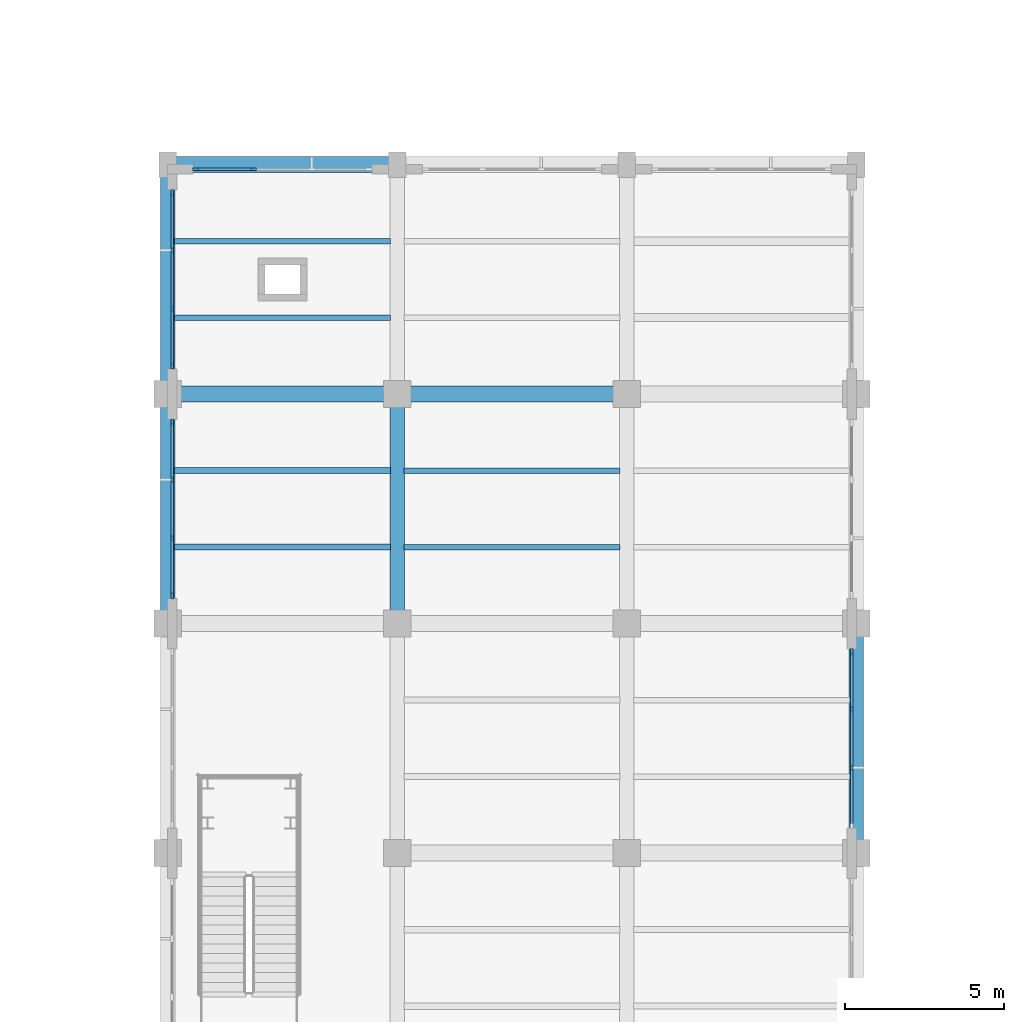
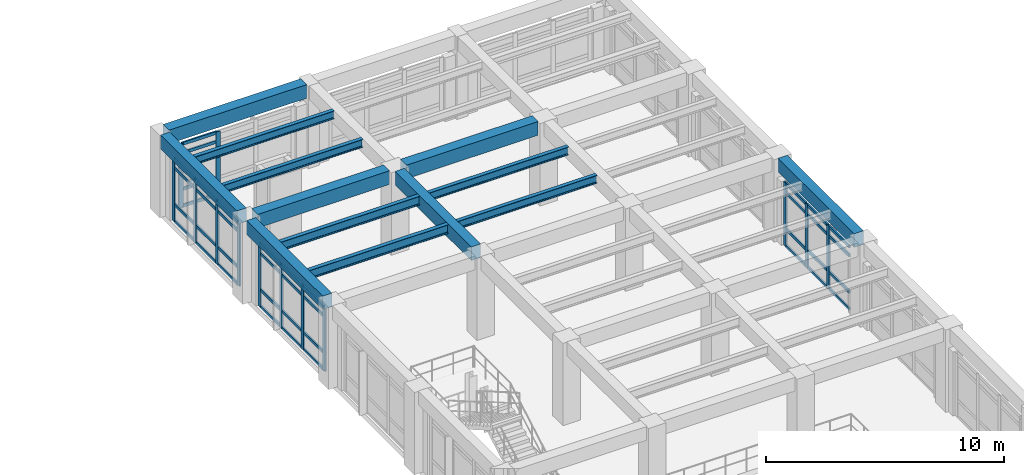
# One storey, part 48 of 98: 53 members, 13 beams, 4 elements without a shape of their own.
"""IFC4 building model written with IfcOpenShell, lengths in metres."""

from ifc_helpers import new_model, si_unit, direction, frame, origin, origin_2d, place, context, subcontext, project, spatial, rectangle, i_section, extrude, material, layer, layer_set, material_profile, profile_set, type_object, element, aggregate, save


model = new_model("IFC4")

# Units and contexts
model_context = context("Model", 3, precision=1e-05, world=origin(), true_north=direction((0.0, 1.0)))
body_context = subcontext(model_context, "Body", "Model", "MODEL_VIEW")
ifc_project = project(units=[si_unit("LENGTHUNIT", "METRE"), si_unit("AREAUNIT", "SQUARE_METRE"), si_unit("VOLUMEUNIT", "CUBIC_METRE"), si_unit("PLANEANGLEUNIT", "RADIAN"), si_unit("MASSUNIT", "GRAM", prefix="KILO")], contexts=[model_context])

# Site, building, storey
site_placement = place(None, origin())
site = spatial("IfcSite", under=ifc_project, at=site_placement, CompositionType="ELEMENT")
building_placement = place(site_placement, origin())
building = spatial("IfcBuilding", under=site, at=building_placement, Name="Solenvale Faculty of Natural Sciences", CompositionType="ELEMENT")
storey_placement = place(building_placement, frame((0.0, 0.0, 9.0)))
storey = spatial("IfcBuildingStorey", under=building, at=storey_placement, Name="L02", CompositionType="ELEMENT", Elevation=9.0)

# Beams
ifc_material_1 = material(Name="Concrete 40 MPa", Category="concrete")
ifc_material_profile_1 = material_profile(ifc_material_1, rectangle(XDim=0.449951171875, YDim=0.699951171875, at=origin_2d()), Name="RC-BM-450x700")
ifc_profile_set_1 = profile_set([ifc_material_profile_1], Name="Concrete 40 MPa")
beam_type_1 = type_object("IfcBeamType", Name="BM-RC-450x700", PredefinedType="BEAM", material=ifc_profile_set_1)
beam_1_placement = place(storey_placement, frame((36.0, 79.60498046875, 3.8701171875), z_axis=(0.0, 1.0, 0.0), x_axis=(-1.0, 0.0, 0.0)))
element("IfcBeam", 1, at=beam_1_placement, inside=storey, type_object=beam_type_1, Name="L02 Y-Girder X36.0 (79.2..86.4)", PredefinedType="BEAM", context=body_context, shape_type="SweptSolid", body=[
    extrude(rectangle(XDim=0.449951171875, YDim=0.699951171875, at=origin_2d()), origin(), (0.0, 0.0, 1.0), 6.39013671875),
])
beam_2_placement = place(storey_placement, frame((36.0, 86.804931640625, 3.8701171875), z_axis=(0.0, 1.0, 0.0), x_axis=(-1.0, 0.0, 0.0)))
element("IfcBeam", 2, at=beam_2_placement, inside=storey, type_object=beam_type_1, Name="L02 Y-Girder X36.0 (86.4..93.6)", PredefinedType="BEAM", context=body_context, shape_type="SweptSolid", body=[
    extrude(rectangle(XDim=0.449951171875, YDim=0.699951171875, at=origin_2d()), origin(), (0.0, 0.0, 1.0), 6.4150390625),
])
beam_3_placement = place(storey_placement, frame((43.199951171875, 79.60498046875, 3.8701171875), z_axis=(0.0, 1.0, 0.0), x_axis=(-1.0, 0.0, 0.0)))
element("IfcBeam", 3, at=beam_3_placement, inside=storey, type_object=beam_type_1, Name="L02 Y-Girder X43.2 (79.2..86.4)", PredefinedType="BEAM", context=body_context, shape_type="SweptSolid", body=[
    extrude(rectangle(XDim=0.449951171875, YDim=0.699951171875, at=origin_2d()), origin(), (0.0, 0.0, 1.0), 6.39013671875),
])
beam_4_placement = place(storey_placement, frame((57.60009765625, 72.405029296875, 3.8701171875), z_axis=(0.0, 1.0, 0.0), x_axis=(-1.0, 0.0, 0.0)))
element("IfcBeam", 4, at=beam_4_placement, inside=storey, type_object=beam_type_1, Name="L02 Y-Girder X57.6 (72.0..79.2)", PredefinedType="BEAM", context=body_context, shape_type="SweptSolid", body=[
    extrude(rectangle(XDim=0.449951171875, YDim=0.699951171875, at=origin_2d()), origin(), (0.0, 0.0, 1.0), 6.389892578125),
])
ifc_material_profile_2 = material_profile(ifc_material_1, rectangle(XDim=0.5, YDim=0.699951171875, at=origin_2d()), Name="RC-BM-500x700")
ifc_profile_set_2 = profile_set([ifc_material_profile_2], Name="Concrete 40 MPa")
beam_type_2 = type_object("IfcBeamType", Name="BM-RC-500x700", PredefinedType="BEAM", material=ifc_profile_set_2)
beam_5_placement = place(storey_placement, frame((36.405029296875, 86.39990234375, 3.8701171875), z_axis=(1.0, 0.0, 0.0), x_axis=(0.0, 1.0, 0.0)))
element("IfcBeam", 5, at=beam_5_placement, inside=storey, type_object=beam_type_2, Name="L02 X-Girder Y86.4 (36.0..43.2)", PredefinedType="BEAM", context=body_context, shape_type="SweptSolid", body=[
    extrude(rectangle(XDim=0.5, YDim=0.699951171875, at=origin_2d()), origin(), (0.0, 0.0, 1.0), 6.389892578125),
])
beam_6_placement = place(storey_placement, frame((43.60498046875, 86.39990234375, 3.8701171875), z_axis=(1.0, 0.0, 0.0), x_axis=(0.0, 1.0, 0.0)))
element("IfcBeam", 6, at=beam_6_placement, inside=storey, type_object=beam_type_2, Name="L02 X-Girder Y86.4 (43.2..50.4)", PredefinedType="BEAM", context=body_context, shape_type="SweptSolid", body=[
    extrude(rectangle(XDim=0.5, YDim=0.699951171875, at=origin_2d()), origin(), (0.0, 0.0, 1.0), 6.39013671875),
])
beam_7_placement = place(storey_placement, frame((36.2548828125, 93.60009765625, 3.8701171875), z_axis=(1.0, 0.0, 0.0), x_axis=(0.0, 1.0, 0.0)))
element("IfcBeam", 7, at=beam_7_placement, inside=storey, type_object=beam_type_2, Name="L02 X-Girder Y93.6 (36.0..43.2)", PredefinedType="BEAM", context=body_context, shape_type="SweptSolid", body=[
    extrude(rectangle(XDim=0.5, YDim=0.699951171875, at=origin_2d()), origin(), (0.0, 0.0, 1.0), 6.690185546875),
])
ifc_material_2 = material(Name="Steel S355", Category="steel")
ifc_material_profile_3 = material_profile(ifc_material_2, i_section(OverallWidth=0.180908203125, OverallDepth=0.4169921875, WebThickness=0.010986328125, FlangeThickness=0.018310546875, FilletRadius=0.01611328125, at=origin_2d()), Name="W410x85")
ifc_profile_set_3 = profile_set([ifc_material_profile_3], Name="Steel S355")
beam_type_3 = type_object("IfcBeamType", Name="BM-STL-W410x85", PredefinedType="JOIST", material=ifc_profile_set_3)
for number, where, z_axis, x_axis, name in (
    (8, (36.205078125, 88.800048828125, 4.011474609375), (1.0, 0.0, 0.0), (0.0, 1.0, 0.0), "L02 Composite Floor Joist (6,13).1"),
    (9, (36.205078125, 91.199951171875, 4.011474609375), (1.0, 0.0, 0.0), (0.0, 1.0, 0.0), "L02 Composite Floor Joist (6,13).2"),
    (10, (43.405029296875, 81.60009765625, 4.011474609375), (1.0, 0.0, 0.0), (0.0, 1.0, 0.0), "L02 Composite Floor Joist (7,12).1"),
    (11, (43.405029296875, 84.0, 4.011474609375), (1.0, 0.0, 0.0), (0.0, 1.0, 0.0), "L02 Composite Floor Joist (7,12).2"),
):
    element("IfcBeam", number, at=place(storey_placement, frame(where, z_axis=z_axis, x_axis=x_axis)), inside=storey, type_object=beam_type_3, Name=name, PredefinedType="JOIST", context=body_context, shape_type="SweptSolid", body=[
        extrude(i_section(OverallWidth=0.180908203125, OverallDepth=0.4169921875, WebThickness=0.010986328125, FlangeThickness=0.018310546875, FilletRadius=0.01611328125, at=origin_2d()), origin(), (0.0, 0.0, 1.0), 6.7900390625),
    ])
ifc_material_profile_4 = material_profile(ifc_material_2, i_section(OverallWidth=0.19091796875, OverallDepth=0.4599609375, WebThickness=0.010009765625, FlangeThickness=0.01611328125, FilletRadius=0.01806640625, at=origin_2d()), Name="W460x82")
ifc_profile_set_4 = profile_set([ifc_material_profile_4], Name="Steel S355")
beam_type_4 = type_object("IfcBeamType", Name="BM-STL-W460x82", PredefinedType="JOIST", material=ifc_profile_set_4)
for number, where, z_axis, x_axis, name in (
    (12, (36.205078125, 81.60009765625, 3.989990234375), (1.0, 0.0, 0.0), (0.0, 1.0, 0.0), "L02 Composite Floor Joist (6,12).1"),
    (13, (36.205078125, 84.0, 3.989990234375), (1.0, 0.0, 0.0), (0.0, 1.0, 0.0), "L02 Composite Floor Joist (6,12).2"),
):
    element("IfcBeam", number, at=place(storey_placement, frame(where, z_axis=z_axis, x_axis=x_axis)), inside=storey, type_object=beam_type_4, Name=name, PredefinedType="JOIST", context=body_context, shape_type="SweptSolid", body=[
        extrude(i_section(OverallWidth=0.19091796875, OverallDepth=0.4599609375, WebThickness=0.010009765625, FlangeThickness=0.01611328125, FilletRadius=0.01806640625, at=origin_2d()), origin(), (0.0, 0.0, 1.0), 6.7900390625),
    ])

# Curtain wall, members
ifc_material_3 = material(Name="Anodised bronze aluminium", Category="aluminium")
ifc_layer = layer(ifc_material_3, 0.215087890625)
ifc_layer_set = layer_set([ifc_layer], Name="Anodised bronze aluminium")
curtain_wall_type = type_object("IfcCurtainWallType", Name="CW-ATR-UNIT", PredefinedType="USERDEFINED", material=ifc_layer_set)
curtain_wall_1_placement = place(storey_placement, origin())
curtain_wall_1 = element("IfcCurtainWall", 14, at=curtain_wall_1_placement, inside=storey, type_object=curtain_wall_type, Name="L02 Curtain Wall CW-L02-P1-E7-B5", ObjectType="UNITISED CURTAIN WALL", PredefinedType="USERDEFINED")
ifc_material_profile_5 = material_profile(ifc_material_3, rectangle(XDim=0.074951171875, YDim=0.2099609375, at=origin_2d()), Name="ALU-MUL-75x210")
ifc_profile_set_5 = profile_set([ifc_material_profile_5], Name="Anodised bronze aluminium")
member_type_1 = type_object("IfcMemberType", Name="CWM-ALU-75x210", PredefinedType="MULLION", material=ifc_profile_set_5)
member_1_placement = place(storey_placement, frame((57.45751953125, 74.683349609375, 0.0), z_axis=(0.0, 0.0, 1.0), x_axis=(-1.0, 0.0, 0.0)))
member_1 = element("IfcMember", 15, at=member_1_placement, type_object=member_type_1, Name="CW-01 mullion 2", PredefinedType="MULLION", context=body_context, shape_type="SweptSolid", body=[
    extrude(rectangle(XDim=0.074951171875, YDim=0.2099609375, at=origin_2d()), origin(), (0.0, 0.0, 1.0), 3.260009765625),
])
member_2_placement = place(storey_placement, frame((57.45751953125, 76.5166015625, 0.0), z_axis=(0.0, 0.0, 1.0), x_axis=(-1.0, 0.0, 0.0)))
member_2 = element("IfcMember", 16, at=member_2_placement, type_object=member_type_1, Name="CW-01 mullion 3", PredefinedType="MULLION", context=body_context, shape_type="SweptSolid", body=[
    extrude(rectangle(XDim=0.074951171875, YDim=0.2099609375, at=origin_2d()), origin(), (0.0, 0.0, 1.0), 3.260009765625),
])
member_3_placement = place(storey_placement, frame((57.45751953125, 78.3125, 0.0), z_axis=(0.0, 0.0, 1.0), x_axis=(-1.0, 0.0, 0.0)))
member_3 = element("IfcMember", 17, at=member_3_placement, type_object=member_type_1, Name="CW-01 mullion 4", PredefinedType="MULLION", context=body_context, shape_type="SweptSolid", body=[
    extrude(rectangle(XDim=0.074951171875, YDim=0.2099609375, at=origin_2d()), origin(), (0.0, 0.0, 1.0), 3.260009765625),
])

curtain_wall_2_placement = place(storey_placement, origin())
curtain_wall_2 = element("IfcCurtainWall", 18, at=curtain_wall_2_placement, inside=storey, type_object=curtain_wall_type, Name="L02 Curtain Wall CW-L02-P1-E8-B3", ObjectType="UNITISED CURTAIN WALL", PredefinedType="USERDEFINED")
member_4_placement = place(storey_placement, frame((38.683349609375, 93.45751953125, 0.0), z_axis=(0.0, 0.0, 1.0), x_axis=(0.0, -1.0, 0.0)))
member_4 = element("IfcMember", 19, at=member_4_placement, type_object=member_type_1, Name="CW-01 mullion 3", PredefinedType="MULLION", context=body_context, shape_type="SweptSolid", body=[
    extrude(rectangle(XDim=0.074951171875, YDim=0.2099609375, at=origin_2d()), origin(), (0.0, 0.0, 1.0), 3.260009765625),
])
member_5_placement = place(storey_placement, frame((36.887451171875, 93.45751953125, 0.0), z_axis=(0.0, 0.0, 1.0), x_axis=(0.0, -1.0, 0.0)))
member_5 = element("IfcMember", 20, at=member_5_placement, type_object=member_type_1, Name="CW-01 mullion 4", PredefinedType="MULLION", context=body_context, shape_type="SweptSolid", body=[
    extrude(rectangle(XDim=0.074951171875, YDim=0.2099609375, at=origin_2d()), origin(), (0.0, 0.0, 1.0), 3.260009765625),
])

curtain_wall_3_placement = place(storey_placement, origin())
curtain_wall_3 = element("IfcCurtainWall", 21, at=curtain_wall_3_placement, inside=storey, type_object=curtain_wall_type, Name="L02 Curtain Wall CW-L02-P1-E9-B1", ObjectType="UNITISED CURTAIN WALL", PredefinedType="USERDEFINED")
member_6_placement = place(storey_placement, frame((36.142578125, 92.71240234375, 0.0), z_axis=(0.0, 0.0, 1.0), x_axis=(1.0, 0.0, 0.0)))
member_6 = element("IfcMember", 22, at=member_6_placement, type_object=member_type_1, Name="CW-01 mullion 1", PredefinedType="MULLION", context=body_context, shape_type="SweptSolid", body=[
    extrude(rectangle(XDim=0.074951171875, YDim=0.2099609375, at=origin_2d()), origin(), (0.0, 0.0, 1.0), 3.260009765625),
])
member_7_placement = place(storey_placement, frame((36.142578125, 90.916748046875, 0.0), z_axis=(0.0, 0.0, 1.0), x_axis=(1.0, 0.0, 0.0)))
member_7 = element("IfcMember", 23, at=member_7_placement, type_object=member_type_1, Name="CW-01 mullion 2", PredefinedType="MULLION", context=body_context, shape_type="SweptSolid", body=[
    extrude(rectangle(XDim=0.074951171875, YDim=0.2099609375, at=origin_2d()), origin(), (0.0, 0.0, 1.0), 3.260009765625),
])
member_8_placement = place(storey_placement, frame((36.142578125, 89.083251953125, 0.0), z_axis=(0.0, 0.0, 1.0), x_axis=(1.0, 0.0, 0.0)))
member_8 = element("IfcMember", 24, at=member_8_placement, type_object=member_type_1, Name="CW-01 mullion 3", PredefinedType="MULLION", context=body_context, shape_type="SweptSolid", body=[
    extrude(rectangle(XDim=0.074951171875, YDim=0.2099609375, at=origin_2d()), origin(), (0.0, 0.0, 1.0), 3.260009765625),
])
member_9_placement = place(storey_placement, frame((36.142578125, 87.28759765625, 0.0), z_axis=(0.0, 0.0, 1.0), x_axis=(1.0, 0.0, 0.0)))
member_9 = element("IfcMember", 25, at=member_9_placement, type_object=member_type_1, Name="CW-01 mullion 4", PredefinedType="MULLION", context=body_context, shape_type="SweptSolid", body=[
    extrude(rectangle(XDim=0.074951171875, YDim=0.2099609375, at=origin_2d()), origin(), (0.0, 0.0, 1.0), 3.260009765625),
])

curtain_wall_4_placement = place(storey_placement, origin())
curtain_wall_4 = element("IfcCurtainWall", 26, at=curtain_wall_4_placement, inside=storey, type_object=curtain_wall_type, Name="L02 Curtain Wall CW-L02-P1-E9-B2", ObjectType="UNITISED CURTAIN WALL", PredefinedType="USERDEFINED")
member_10_placement = place(storey_placement, frame((36.142578125, 85.512451171875, 0.0), z_axis=(0.0, 0.0, 1.0), x_axis=(1.0, 0.0, 0.0)))
member_10 = element("IfcMember", 27, at=member_10_placement, type_object=member_type_1, Name="CW-01 mullion 1", PredefinedType="MULLION", context=body_context, shape_type="SweptSolid", body=[
    extrude(rectangle(XDim=0.074951171875, YDim=0.2099609375, at=origin_2d()), origin(), (0.0, 0.0, 1.0), 3.260009765625),
])
member_11_placement = place(storey_placement, frame((36.142578125, 83.716552734375, 0.0), z_axis=(0.0, 0.0, 1.0), x_axis=(1.0, 0.0, 0.0)))
member_11 = element("IfcMember", 28, at=member_11_placement, type_object=member_type_1, Name="CW-01 mullion 2", PredefinedType="MULLION", context=body_context, shape_type="SweptSolid", body=[
    extrude(rectangle(XDim=0.074951171875, YDim=0.2099609375, at=origin_2d()), origin(), (0.0, 0.0, 1.0), 3.260009765625),
])
member_12_placement = place(storey_placement, frame((36.142578125, 81.88330078125, 0.0), z_axis=(0.0, 0.0, 1.0), x_axis=(1.0, 0.0, 0.0)))
member_12 = element("IfcMember", 29, at=member_12_placement, type_object=member_type_1, Name="CW-01 mullion 3", PredefinedType="MULLION", context=body_context, shape_type="SweptSolid", body=[
    extrude(rectangle(XDim=0.074951171875, YDim=0.2099609375, at=origin_2d()), origin(), (0.0, 0.0, 1.0), 3.260009765625),
])
member_13_placement = place(storey_placement, frame((36.142578125, 80.08740234375, 0.0), z_axis=(0.0, 0.0, 1.0), x_axis=(1.0, 0.0, 0.0)))
member_13 = element("IfcMember", 30, at=member_13_placement, type_object=member_type_1, Name="CW-01 mullion 4", PredefinedType="MULLION", context=body_context, shape_type="SweptSolid", body=[
    extrude(rectangle(XDim=0.074951171875, YDim=0.2099609375, at=origin_2d()), origin(), (0.0, 0.0, 1.0), 3.260009765625),
])

# Member
ifc_material_profile_6 = material_profile(ifc_material_3, rectangle(XDim=0.074951171875, YDim=0.155029296875, at=origin_2d()), Name="ALU-TRN-75x155")
ifc_profile_set_6 = profile_set([ifc_material_profile_6], Name="Anodised bronze aluminium")
member_type_2 = type_object("IfcMemberType", Name="CWT-ALU-75x155", PredefinedType="USERDEFINED", material=ifc_profile_set_6)
member_14_placement = place(storey_placement, frame((57.45751953125, 72.925048828125, 0.03759765625), z_axis=(0.0, 1.0, 0.0), x_axis=(-1.0, 0.0, 0.0)))
member_14 = element("IfcMember", 31, at=member_14_placement, type_object=member_type_2, Name="CW-01 transom 1.1", ObjectType="TRANSOM", PredefinedType="USERDEFINED", context=body_context, shape_type="SweptSolid", body=[
    extrude(rectangle(XDim=0.074951171875, YDim=0.155029296875, at=origin_2d()), origin(), (0.0, 0.0, 1.0), 1.720703125),
])

member_15_placement = place(storey_placement, frame((57.45751953125, 72.925048828125, 0.89990234375), z_axis=(0.0, 1.0, 0.0), x_axis=(-1.0, 0.0, 0.0)))
member_15 = element("IfcMember", 32, at=member_15_placement, type_object=member_type_2, Name="CW-01 transom 1.2", ObjectType="TRANSOM", PredefinedType="USERDEFINED", context=body_context, shape_type="SweptSolid", body=[
    extrude(rectangle(XDim=0.074951171875, YDim=0.155029296875, at=origin_2d()), origin(), (0.0, 0.0, 1.0), 1.720703125),
])

member_16_placement = place(storey_placement, frame((57.45751953125, 72.925048828125, 2.760009765625), z_axis=(0.0, 1.0, 0.0), x_axis=(-1.0, 0.0, 0.0)))
member_16 = element("IfcMember", 33, at=member_16_placement, type_object=member_type_2, Name="CW-01 transom 1.3", ObjectType="TRANSOM", PredefinedType="USERDEFINED", context=body_context, shape_type="SweptSolid", body=[
    extrude(rectangle(XDim=0.074951171875, YDim=0.155029296875, at=origin_2d()), origin(), (0.0, 0.0, 1.0), 1.720703125),
])

member_17_placement = place(storey_placement, frame((57.45751953125, 72.925048828125, 3.222412109375), z_axis=(0.0, 1.0, 0.0), x_axis=(-1.0, 0.0, 0.0)))
member_17 = element("IfcMember", 34, at=member_17_placement, type_object=member_type_2, Name="CW-01 transom 1.4", ObjectType="TRANSOM", PredefinedType="USERDEFINED", context=body_context, shape_type="SweptSolid", body=[
    extrude(rectangle(XDim=0.074951171875, YDim=0.155029296875, at=origin_2d()), origin(), (0.0, 0.0, 1.0), 1.720703125),
])

member_18_placement = place(storey_placement, frame((57.45751953125, 74.720947265625, 0.03759765625), z_axis=(0.0, 1.0, 0.0), x_axis=(-1.0, 0.0, 0.0)))
member_18 = element("IfcMember", 35, at=member_18_placement, type_object=member_type_2, Name="CW-01 transom 2.1", ObjectType="TRANSOM", PredefinedType="USERDEFINED", context=body_context, shape_type="SweptSolid", body=[
    extrude(rectangle(XDim=0.074951171875, YDim=0.155029296875, at=origin_2d()), origin(), (0.0, 0.0, 1.0), 1.75830078125),
])

member_19_placement = place(storey_placement, frame((57.45751953125, 74.720947265625, 0.89990234375), z_axis=(0.0, 1.0, 0.0), x_axis=(-1.0, 0.0, 0.0)))
member_19 = element("IfcMember", 36, at=member_19_placement, type_object=member_type_2, Name="CW-01 transom 2.2", ObjectType="TRANSOM", PredefinedType="USERDEFINED", context=body_context, shape_type="SweptSolid", body=[
    extrude(rectangle(XDim=0.074951171875, YDim=0.155029296875, at=origin_2d()), origin(), (0.0, 0.0, 1.0), 1.75830078125),
])

member_20_placement = place(storey_placement, frame((57.45751953125, 74.720947265625, 2.760009765625), z_axis=(0.0, 1.0, 0.0), x_axis=(-1.0, 0.0, 0.0)))
member_20 = element("IfcMember", 37, at=member_20_placement, type_object=member_type_2, Name="CW-01 transom 2.3", ObjectType="TRANSOM", PredefinedType="USERDEFINED", context=body_context, shape_type="SweptSolid", body=[
    extrude(rectangle(XDim=0.074951171875, YDim=0.155029296875, at=origin_2d()), origin(), (0.0, 0.0, 1.0), 1.75830078125),
])

member_21_placement = place(storey_placement, frame((57.45751953125, 74.720947265625, 3.222412109375), z_axis=(0.0, 1.0, 0.0), x_axis=(-1.0, 0.0, 0.0)))
member_21 = element("IfcMember", 38, at=member_21_placement, type_object=member_type_2, Name="CW-01 transom 2.4", ObjectType="TRANSOM", PredefinedType="USERDEFINED", context=body_context, shape_type="SweptSolid", body=[
    extrude(rectangle(XDim=0.074951171875, YDim=0.155029296875, at=origin_2d()), origin(), (0.0, 0.0, 1.0), 1.75830078125),
])

member_22_placement = place(storey_placement, frame((57.45751953125, 76.55419921875, 0.03759765625), z_axis=(0.0, 1.0, 0.0), x_axis=(-1.0, 0.0, 0.0)))
member_22 = element("IfcMember", 39, at=member_22_placement, type_object=member_type_2, Name="CW-01 transom 3.1", ObjectType="TRANSOM", PredefinedType="USERDEFINED", context=body_context, shape_type="SweptSolid", body=[
    extrude(rectangle(XDim=0.074951171875, YDim=0.155029296875, at=origin_2d()), origin(), (0.0, 0.0, 1.0), 1.720703125),
])

member_23_placement = place(storey_placement, frame((57.45751953125, 76.55419921875, 0.89990234375), z_axis=(0.0, 1.0, 0.0), x_axis=(-1.0, 0.0, 0.0)))
member_23 = element("IfcMember", 40, at=member_23_placement, type_object=member_type_2, Name="CW-01 transom 3.2", ObjectType="TRANSOM", PredefinedType="USERDEFINED", context=body_context, shape_type="SweptSolid", body=[
    extrude(rectangle(XDim=0.074951171875, YDim=0.155029296875, at=origin_2d()), origin(), (0.0, 0.0, 1.0), 1.720703125),
])

member_24_placement = place(storey_placement, frame((57.45751953125, 76.55419921875, 2.760009765625), z_axis=(0.0, 1.0, 0.0), x_axis=(-1.0, 0.0, 0.0)))
member_24 = element("IfcMember", 41, at=member_24_placement, type_object=member_type_2, Name="CW-01 transom 3.3", ObjectType="TRANSOM", PredefinedType="USERDEFINED", context=body_context, shape_type="SweptSolid", body=[
    extrude(rectangle(XDim=0.074951171875, YDim=0.155029296875, at=origin_2d()), origin(), (0.0, 0.0, 1.0), 1.720703125),
])

member_25_placement = place(storey_placement, frame((57.45751953125, 76.55419921875, 3.222412109375), z_axis=(0.0, 1.0, 0.0), x_axis=(-1.0, 0.0, 0.0)))
member_25 = element("IfcMember", 42, at=member_25_placement, type_object=member_type_2, Name="CW-01 transom 3.4", ObjectType="TRANSOM", PredefinedType="USERDEFINED", context=body_context, shape_type="SweptSolid", body=[
    extrude(rectangle(XDim=0.074951171875, YDim=0.155029296875, at=origin_2d()), origin(), (0.0, 0.0, 1.0), 1.720703125),
])

aggregate(curtain_wall_1, [member_1, member_2, member_3, member_14, member_15, member_16, member_17, member_18, member_19, member_20, member_21, member_22, member_23, member_24, member_25])

member_26_placement = place(storey_placement, frame((38.645751953125, 93.45751953125, 0.03759765625), z_axis=(-1.0, 0.0, 0.0), x_axis=(0.0, -1.0, 0.0)))
member_26 = element("IfcMember", 43, at=member_26_placement, type_object=member_type_2, Name="CW-01 transom 3.1", ObjectType="TRANSOM", PredefinedType="USERDEFINED", context=body_context, shape_type="SweptSolid", body=[
    extrude(rectangle(XDim=0.074951171875, YDim=0.155029296875, at=origin_2d()), origin(), (0.0, 0.0, 1.0), 1.720703125),
])

member_27_placement = place(storey_placement, frame((38.645751953125, 93.45751953125, 0.89990234375), z_axis=(-1.0, 0.0, 0.0), x_axis=(0.0, -1.0, 0.0)))
member_27 = element("IfcMember", 44, at=member_27_placement, type_object=member_type_2, Name="CW-01 transom 3.2", ObjectType="TRANSOM", PredefinedType="USERDEFINED", context=body_context, shape_type="SweptSolid", body=[
    extrude(rectangle(XDim=0.074951171875, YDim=0.155029296875, at=origin_2d()), origin(), (0.0, 0.0, 1.0), 1.720703125),
])

member_28_placement = place(storey_placement, frame((38.645751953125, 93.45751953125, 2.760009765625), z_axis=(-1.0, 0.0, 0.0), x_axis=(0.0, -1.0, 0.0)))
member_28 = element("IfcMember", 45, at=member_28_placement, type_object=member_type_2, Name="CW-01 transom 3.3", ObjectType="TRANSOM", PredefinedType="USERDEFINED", context=body_context, shape_type="SweptSolid", body=[
    extrude(rectangle(XDim=0.074951171875, YDim=0.155029296875, at=origin_2d()), origin(), (0.0, 0.0, 1.0), 1.720703125),
])

member_29_placement = place(storey_placement, frame((38.645751953125, 93.45751953125, 3.222412109375), z_axis=(-1.0, 0.0, 0.0), x_axis=(0.0, -1.0, 0.0)))
member_29 = element("IfcMember", 46, at=member_29_placement, type_object=member_type_2, Name="CW-01 transom 3.4", ObjectType="TRANSOM", PredefinedType="USERDEFINED", context=body_context, shape_type="SweptSolid", body=[
    extrude(rectangle(XDim=0.074951171875, YDim=0.155029296875, at=origin_2d()), origin(), (0.0, 0.0, 1.0), 1.720703125),
])

aggregate(curtain_wall_2, [member_4, member_5, member_26, member_27, member_28, member_29])

member_30_placement = place(storey_placement, frame((36.142578125, 92.675048828125, 0.03759765625), z_axis=(0.0, -1.0, 0.0), x_axis=(1.0, 0.0, 0.0)))
member_30 = element("IfcMember", 47, at=member_30_placement, type_object=member_type_2, Name="CW-01 transom 1.1", ObjectType="TRANSOM", PredefinedType="USERDEFINED", context=body_context, shape_type="SweptSolid", body=[
    extrude(rectangle(XDim=0.074951171875, YDim=0.155029296875, at=origin_2d()), origin(), (0.0, 0.0, 1.0), 1.720947265625),
])

member_31_placement = place(storey_placement, frame((36.142578125, 92.675048828125, 0.89990234375), z_axis=(0.0, -1.0, 0.0), x_axis=(1.0, 0.0, 0.0)))
member_31 = element("IfcMember", 48, at=member_31_placement, type_object=member_type_2, Name="CW-01 transom 1.2", ObjectType="TRANSOM", PredefinedType="USERDEFINED", context=body_context, shape_type="SweptSolid", body=[
    extrude(rectangle(XDim=0.074951171875, YDim=0.155029296875, at=origin_2d()), origin(), (0.0, 0.0, 1.0), 1.720947265625),
])

member_32_placement = place(storey_placement, frame((36.142578125, 92.675048828125, 2.760009765625), z_axis=(0.0, -1.0, 0.0), x_axis=(1.0, 0.0, 0.0)))
member_32 = element("IfcMember", 49, at=member_32_placement, type_object=member_type_2, Name="CW-01 transom 1.3", ObjectType="TRANSOM", PredefinedType="USERDEFINED", context=body_context, shape_type="SweptSolid", body=[
    extrude(rectangle(XDim=0.074951171875, YDim=0.155029296875, at=origin_2d()), origin(), (0.0, 0.0, 1.0), 1.720947265625),
])

member_33_placement = place(storey_placement, frame((36.142578125, 92.675048828125, 3.222412109375), z_axis=(0.0, -1.0, 0.0), x_axis=(1.0, 0.0, 0.0)))
member_33 = element("IfcMember", 50, at=member_33_placement, type_object=member_type_2, Name="CW-01 transom 1.4", ObjectType="TRANSOM", PredefinedType="USERDEFINED", context=body_context, shape_type="SweptSolid", body=[
    extrude(rectangle(XDim=0.074951171875, YDim=0.155029296875, at=origin_2d()), origin(), (0.0, 0.0, 1.0), 1.720947265625),
])

member_34_placement = place(storey_placement, frame((36.142578125, 90.879150390625, 0.03759765625), z_axis=(0.0, -1.0, 0.0), x_axis=(1.0, 0.0, 0.0)))
member_34 = element("IfcMember", 51, at=member_34_placement, type_object=member_type_2, Name="CW-01 transom 2.1", ObjectType="TRANSOM", PredefinedType="USERDEFINED", context=body_context, shape_type="SweptSolid", body=[
    extrude(rectangle(XDim=0.074951171875, YDim=0.155029296875, at=origin_2d()), origin(), (0.0, 0.0, 1.0), 1.75830078125),
])

member_35_placement = place(storey_placement, frame((36.142578125, 90.879150390625, 0.89990234375), z_axis=(0.0, -1.0, 0.0), x_axis=(1.0, 0.0, 0.0)))
member_35 = element("IfcMember", 52, at=member_35_placement, type_object=member_type_2, Name="CW-01 transom 2.2", ObjectType="TRANSOM", PredefinedType="USERDEFINED", context=body_context, shape_type="SweptSolid", body=[
    extrude(rectangle(XDim=0.074951171875, YDim=0.155029296875, at=origin_2d()), origin(), (0.0, 0.0, 1.0), 1.75830078125),
])

member_36_placement = place(storey_placement, frame((36.142578125, 90.879150390625, 2.760009765625), z_axis=(0.0, -1.0, 0.0), x_axis=(1.0, 0.0, 0.0)))
member_36 = element("IfcMember", 53, at=member_36_placement, type_object=member_type_2, Name="CW-01 transom 2.3", ObjectType="TRANSOM", PredefinedType="USERDEFINED", context=body_context, shape_type="SweptSolid", body=[
    extrude(rectangle(XDim=0.074951171875, YDim=0.155029296875, at=origin_2d()), origin(), (0.0, 0.0, 1.0), 1.75830078125),
])

member_37_placement = place(storey_placement, frame((36.142578125, 90.879150390625, 3.222412109375), z_axis=(0.0, -1.0, 0.0), x_axis=(1.0, 0.0, 0.0)))
member_37 = element("IfcMember", 54, at=member_37_placement, type_object=member_type_2, Name="CW-01 transom 2.4", ObjectType="TRANSOM", PredefinedType="USERDEFINED", context=body_context, shape_type="SweptSolid", body=[
    extrude(rectangle(XDim=0.074951171875, YDim=0.155029296875, at=origin_2d()), origin(), (0.0, 0.0, 1.0), 1.75830078125),
])

member_38_placement = place(storey_placement, frame((36.142578125, 89.0458984375, 0.03759765625), z_axis=(0.0, -1.0, 0.0), x_axis=(1.0, 0.0, 0.0)))
member_38 = element("IfcMember", 55, at=member_38_placement, type_object=member_type_2, Name="CW-01 transom 3.1", ObjectType="TRANSOM", PredefinedType="USERDEFINED", context=body_context, shape_type="SweptSolid", body=[
    extrude(rectangle(XDim=0.074951171875, YDim=0.155029296875, at=origin_2d()), origin(), (0.0, 0.0, 1.0), 1.720947265625),
])

member_39_placement = place(storey_placement, frame((36.142578125, 89.0458984375, 0.89990234375), z_axis=(0.0, -1.0, 0.0), x_axis=(1.0, 0.0, 0.0)))
member_39 = element("IfcMember", 56, at=member_39_placement, type_object=member_type_2, Name="CW-01 transom 3.2", ObjectType="TRANSOM", PredefinedType="USERDEFINED", context=body_context, shape_type="SweptSolid", body=[
    extrude(rectangle(XDim=0.074951171875, YDim=0.155029296875, at=origin_2d()), origin(), (0.0, 0.0, 1.0), 1.720947265625),
])

member_40_placement = place(storey_placement, frame((36.142578125, 89.0458984375, 2.760009765625), z_axis=(0.0, -1.0, 0.0), x_axis=(1.0, 0.0, 0.0)))
member_40 = element("IfcMember", 57, at=member_40_placement, type_object=member_type_2, Name="CW-01 transom 3.3", ObjectType="TRANSOM", PredefinedType="USERDEFINED", context=body_context, shape_type="SweptSolid", body=[
    extrude(rectangle(XDim=0.074951171875, YDim=0.155029296875, at=origin_2d()), origin(), (0.0, 0.0, 1.0), 1.720947265625),
])

member_41_placement = place(storey_placement, frame((36.142578125, 89.0458984375, 3.222412109375), z_axis=(0.0, -1.0, 0.0), x_axis=(1.0, 0.0, 0.0)))
member_41 = element("IfcMember", 58, at=member_41_placement, type_object=member_type_2, Name="CW-01 transom 3.4", ObjectType="TRANSOM", PredefinedType="USERDEFINED", context=body_context, shape_type="SweptSolid", body=[
    extrude(rectangle(XDim=0.074951171875, YDim=0.155029296875, at=origin_2d()), origin(), (0.0, 0.0, 1.0), 1.720947265625),
])

aggregate(curtain_wall_3, [member_6, member_7, member_8, member_9, member_30, member_31, member_32, member_33, member_34, member_35, member_36, member_37, member_38, member_39, member_40, member_41])

member_42_placement = place(storey_placement, frame((36.142578125, 85.47509765625, 0.03759765625), z_axis=(0.0, -1.0, 0.0), x_axis=(1.0, 0.0, 0.0)))
member_42 = element("IfcMember", 59, at=member_42_placement, type_object=member_type_2, Name="CW-01 transom 1.1", ObjectType="TRANSOM", PredefinedType="USERDEFINED", context=body_context, shape_type="SweptSolid", body=[
    extrude(rectangle(XDim=0.074951171875, YDim=0.155029296875, at=origin_2d()), origin(), (0.0, 0.0, 1.0), 1.720947265625),
])

member_43_placement = place(storey_placement, frame((36.142578125, 85.47509765625, 0.89990234375), z_axis=(0.0, -1.0, 0.0), x_axis=(1.0, 0.0, 0.0)))
member_43 = element("IfcMember", 60, at=member_43_placement, type_object=member_type_2, Name="CW-01 transom 1.2", ObjectType="TRANSOM", PredefinedType="USERDEFINED", context=body_context, shape_type="SweptSolid", body=[
    extrude(rectangle(XDim=0.074951171875, YDim=0.155029296875, at=origin_2d()), origin(), (0.0, 0.0, 1.0), 1.720947265625),
])

member_44_placement = place(storey_placement, frame((36.142578125, 85.47509765625, 2.760009765625), z_axis=(0.0, -1.0, 0.0), x_axis=(1.0, 0.0, 0.0)))
member_44 = element("IfcMember", 61, at=member_44_placement, type_object=member_type_2, Name="CW-01 transom 1.3", ObjectType="TRANSOM", PredefinedType="USERDEFINED", context=body_context, shape_type="SweptSolid", body=[
    extrude(rectangle(XDim=0.074951171875, YDim=0.155029296875, at=origin_2d()), origin(), (0.0, 0.0, 1.0), 1.720947265625),
])

member_45_placement = place(storey_placement, frame((36.142578125, 85.47509765625, 3.222412109375), z_axis=(0.0, -1.0, 0.0), x_axis=(1.0, 0.0, 0.0)))
member_45 = element("IfcMember", 62, at=member_45_placement, type_object=member_type_2, Name="CW-01 transom 1.4", ObjectType="TRANSOM", PredefinedType="USERDEFINED", context=body_context, shape_type="SweptSolid", body=[
    extrude(rectangle(XDim=0.074951171875, YDim=0.155029296875, at=origin_2d()), origin(), (0.0, 0.0, 1.0), 1.720947265625),
])

member_46_placement = place(storey_placement, frame((36.142578125, 83.67919921875, 0.03759765625), z_axis=(0.0, -1.0, 0.0), x_axis=(1.0, 0.0, 0.0)))
member_46 = element("IfcMember", 63, at=member_46_placement, type_object=member_type_2, Name="CW-01 transom 2.1", ObjectType="TRANSOM", PredefinedType="USERDEFINED", context=body_context, shape_type="SweptSolid", body=[
    extrude(rectangle(XDim=0.074951171875, YDim=0.155029296875, at=origin_2d()), origin(), (0.0, 0.0, 1.0), 1.75830078125),
])

member_47_placement = place(storey_placement, frame((36.142578125, 83.67919921875, 0.89990234375), z_axis=(0.0, -1.0, 0.0), x_axis=(1.0, 0.0, 0.0)))
member_47 = element("IfcMember", 64, at=member_47_placement, type_object=member_type_2, Name="CW-01 transom 2.2", ObjectType="TRANSOM", PredefinedType="USERDEFINED", context=body_context, shape_type="SweptSolid", body=[
    extrude(rectangle(XDim=0.074951171875, YDim=0.155029296875, at=origin_2d()), origin(), (0.0, 0.0, 1.0), 1.75830078125),
])

member_48_placement = place(storey_placement, frame((36.142578125, 83.67919921875, 2.760009765625), z_axis=(0.0, -1.0, 0.0), x_axis=(1.0, 0.0, 0.0)))
member_48 = element("IfcMember", 65, at=member_48_placement, type_object=member_type_2, Name="CW-01 transom 2.3", ObjectType="TRANSOM", PredefinedType="USERDEFINED", context=body_context, shape_type="SweptSolid", body=[
    extrude(rectangle(XDim=0.074951171875, YDim=0.155029296875, at=origin_2d()), origin(), (0.0, 0.0, 1.0), 1.75830078125),
])

member_49_placement = place(storey_placement, frame((36.142578125, 83.67919921875, 3.222412109375), z_axis=(0.0, -1.0, 0.0), x_axis=(1.0, 0.0, 0.0)))
member_49 = element("IfcMember", 66, at=member_49_placement, type_object=member_type_2, Name="CW-01 transom 2.4", ObjectType="TRANSOM", PredefinedType="USERDEFINED", context=body_context, shape_type="SweptSolid", body=[
    extrude(rectangle(XDim=0.074951171875, YDim=0.155029296875, at=origin_2d()), origin(), (0.0, 0.0, 1.0), 1.75830078125),
])

member_50_placement = place(storey_placement, frame((36.142578125, 81.845947265625, 0.03759765625), z_axis=(0.0, -1.0, 0.0), x_axis=(1.0, 0.0, 0.0)))
member_50 = element("IfcMember", 67, at=member_50_placement, type_object=member_type_2, Name="CW-01 transom 3.1", ObjectType="TRANSOM", PredefinedType="USERDEFINED", context=body_context, shape_type="SweptSolid", body=[
    extrude(rectangle(XDim=0.074951171875, YDim=0.155029296875, at=origin_2d()), origin(), (0.0, 0.0, 1.0), 1.720947265625),
])

member_51_placement = place(storey_placement, frame((36.142578125, 81.845947265625, 0.89990234375), z_axis=(0.0, -1.0, 0.0), x_axis=(1.0, 0.0, 0.0)))
member_51 = element("IfcMember", 68, at=member_51_placement, type_object=member_type_2, Name="CW-01 transom 3.2", ObjectType="TRANSOM", PredefinedType="USERDEFINED", context=body_context, shape_type="SweptSolid", body=[
    extrude(rectangle(XDim=0.074951171875, YDim=0.155029296875, at=origin_2d()), origin(), (0.0, 0.0, 1.0), 1.720947265625),
])

member_52_placement = place(storey_placement, frame((36.142578125, 81.845947265625, 2.760009765625), z_axis=(0.0, -1.0, 0.0), x_axis=(1.0, 0.0, 0.0)))
member_52 = element("IfcMember", 69, at=member_52_placement, type_object=member_type_2, Name="CW-01 transom 3.3", ObjectType="TRANSOM", PredefinedType="USERDEFINED", context=body_context, shape_type="SweptSolid", body=[
    extrude(rectangle(XDim=0.074951171875, YDim=0.155029296875, at=origin_2d()), origin(), (0.0, 0.0, 1.0), 1.720947265625),
])

member_53_placement = place(storey_placement, frame((36.142578125, 81.845947265625, 3.222412109375), z_axis=(0.0, -1.0, 0.0), x_axis=(1.0, 0.0, 0.0)))
member_53 = element("IfcMember", 70, at=member_53_placement, type_object=member_type_2, Name="CW-01 transom 3.4", ObjectType="TRANSOM", PredefinedType="USERDEFINED", context=body_context, shape_type="SweptSolid", body=[
    extrude(rectangle(XDim=0.074951171875, YDim=0.155029296875, at=origin_2d()), origin(), (0.0, 0.0, 1.0), 1.720947265625),
])

aggregate(curtain_wall_4, [member_10, member_11, member_12, member_13, member_42, member_43, member_44, member_45, member_46, member_47, member_48, member_49, member_50, member_51, member_52, member_53])

save(model, "model.ifc")
